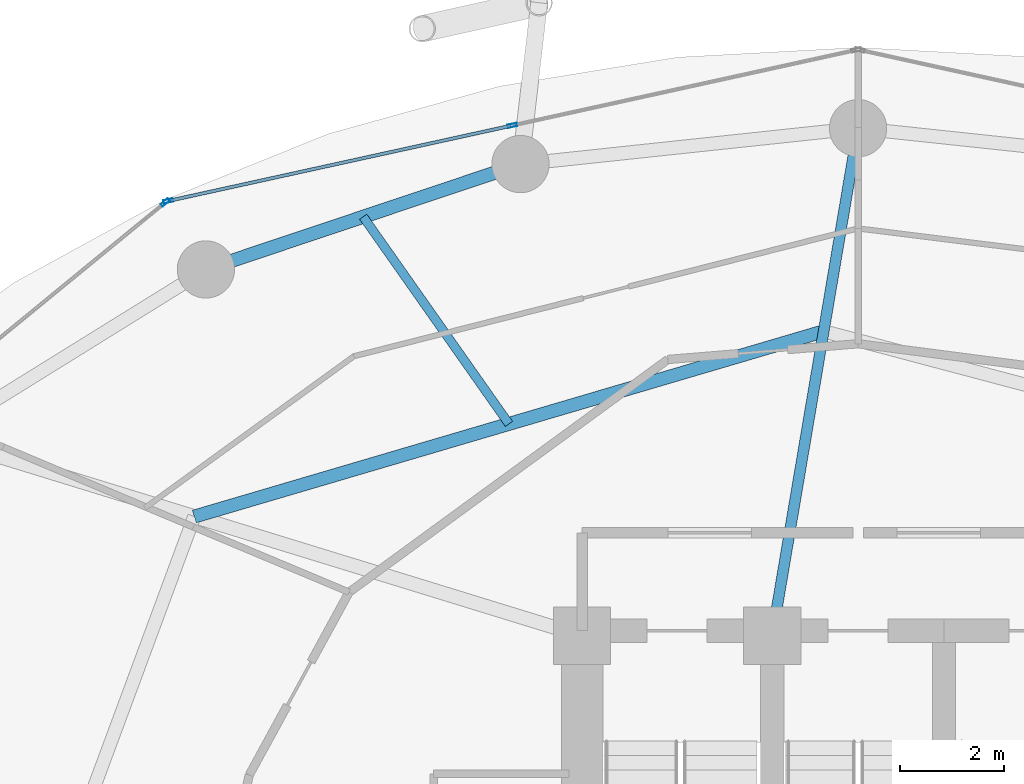
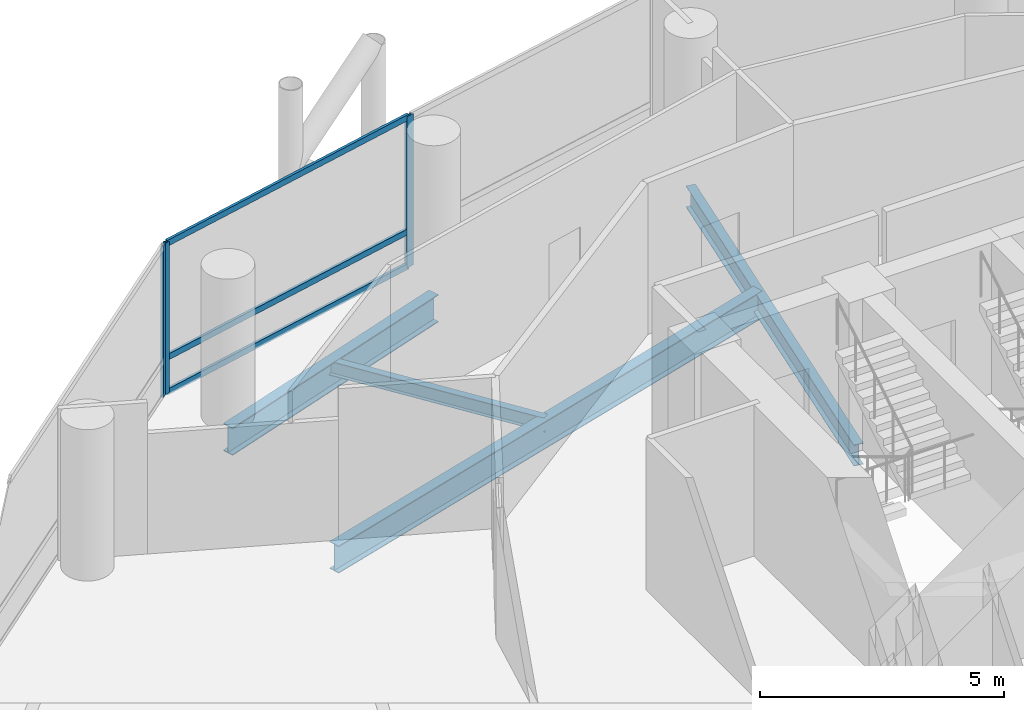
# One storey, part 15 of 25: 6 members, 4 beams, 2 elements without a shape of their own.
"""IFC4 building model written with IfcOpenShell, lengths in metres."""

from ifc_helpers import new_model, si_unit, direction, frame, origin, origin_2d, place, context, subcontext, project, spatial, hollow_rectangle, i_section, extrude, material, layer, layer_set, material_profile, profile_set, type_object, element, aggregate, save


model = new_model("IFC4")

# Units and contexts
model_context = context("Model", 3, precision=1e-05, world=origin(), true_north=direction((0.0, 1.0)))
body_context = subcontext(model_context, "Body", "Model", "MODEL_VIEW")
ifc_project = project(units=[si_unit("LENGTHUNIT", "METRE"), si_unit("AREAUNIT", "SQUARE_METRE"), si_unit("VOLUMEUNIT", "CUBIC_METRE"), si_unit("PLANEANGLEUNIT", "RADIAN"), si_unit("MASSUNIT", "GRAM", prefix="KILO")], contexts=[model_context])

# Site, building, storey
site_placement = place(None, origin())
site = spatial("IfcSite", under=ifc_project, at=site_placement, CompositionType="ELEMENT")
building_placement = place(site_placement, origin())
building = spatial("IfcBuilding", under=site, at=building_placement, Name="Nuhasar Tower", CompositionType="ELEMENT")
storey_placement = place(building_placement, frame((0.0, 0.0, 45.300048828125)))
storey = spatial("IfcBuildingStorey", under=building, at=storey_placement, Name="L10", CompositionType="ELEMENT", Elevation=45.300048828125)

# Beams
ifc_material_1 = material(Name="Steel S355", Category="steel")
ifc_material_profile_1 = material_profile(ifc_material_1, i_section(OverallWidth=0.25390625, OverallDepth=0.68408203125, WebThickness=0.012451171875, FlangeThickness=0.018798828125, at=origin_2d()), Name="W27X94")
ifc_profile_set_1 = profile_set([ifc_material_profile_1], Name="Steel S355")
beam_type_1 = type_object("IfcBeamType", Name="BM-INRING-W27X94", PredefinedType="BEAM", material=ifc_profile_set_1)
beam_1_placement = place(storey_placement, frame((38.340087890625, 43.14990234375, -0.60205078125), z_axis=(-0.959290190666, -0.28242225495, 0.0), x_axis=(0.28242225495, -0.959290190666, 0.0)))
element("IfcBeam", 1, at=beam_1_placement, inside=storey, type_object=beam_type_1, Name="L10 Inner Header Beam 06", PredefinedType="BEAM", context=body_context, shape_type="SweptSolid", body=[
    extrude(i_section(OverallWidth=0.25390625, OverallDepth=0.68408203125, WebThickness=0.012451171875, FlangeThickness=0.018798828125, at=origin_2d()), origin(), (0.0, 0.0, 1.0), 12.60107421875),
])
ifc_material_profile_2 = material_profile(ifc_material_1, i_section(OverallWidth=0.1708984375, OverallDepth=0.35205078125, WebThickness=0.0068359375, FlangeThickness=0.009765625, at=origin_2d()), Name="W14X30")
ifc_profile_set_2 = profile_set([ifc_material_profile_2], Name="Steel S355")
beam_type_2 = type_object("IfcBeamType", Name="BM-JST-W14X30", PredefinedType="JOIST", material=ifc_profile_set_2)
beam_2_placement = place(storey_placement, frame((32.2958984375, 41.3701171875, -0.43603515625), z_axis=(-0.575461088141, 0.817829160666, 0.0), x_axis=(-0.817829160666, -0.575461088141, 0.0)))
element("IfcBeam", 2, at=beam_2_placement, inside=storey, type_object=beam_type_2, Name="L10 Secondary Floor Joist 06", PredefinedType="JOIST", context=body_context, shape_type="SweptSolid", body=[
    extrude(i_section(OverallWidth=0.1708984375, OverallDepth=0.35205078125, WebThickness=0.0068359375, FlangeThickness=0.009765625, at=origin_2d()), origin(), (0.0, 0.0, 1.0), 4.865234375),
])
ifc_material_profile_3 = material_profile(ifc_material_1, i_section(OverallWidth=0.208984375, OverallDepth=0.532958984375, WebThickness=0.01025390625, FlangeThickness=0.015625, at=origin_2d()), Name="W21X62")
ifc_profile_set_3 = profile_set([ifc_material_profile_3], Name="Steel S355")
beam_type_3 = type_object("IfcBeamType", Name="BM-RAD-W21X62", PredefinedType="BEAM", material=ifc_profile_set_3)
beam_3_placement = place(storey_placement, frame((37.35009765625, 37.300048828125, -0.527099609375), z_axis=(0.166848703013, 0.98598251014, 0.0), x_axis=(-0.98598251014, 0.166848703013, 0.0)))
element("IfcBeam", 3, at=beam_3_placement, inside=storey, type_object=beam_type_3, Name="L10 Radial Floor Girder 06", PredefinedType="BEAM", context=body_context, shape_type="SweptSolid", body=[
    extrude(i_section(OverallWidth=0.208984375, OverallDepth=0.532958984375, WebThickness=0.01025390625, FlangeThickness=0.015625, at=origin_2d()), origin(), (0.0, 0.0, 1.0), 9.888671875),
])
ifc_material_profile_4 = material_profile(ifc_material_1, i_section(OverallWidth=0.256103515625, OverallDepth=0.693115234375, WebThickness=0.014404296875, FlangeThickness=0.023681640625, at=origin_2d()), Name="W27X114")
ifc_profile_set_4 = profile_set([ifc_material_profile_4], Name="Steel S355")
beam_type_4 = type_object("IfcBeamType", Name="BM-RING-W27X114", PredefinedType="SPANDREL", material=ifc_profile_set_4)
beam_4_placement = place(storey_placement, frame((32.51708984375, 46.360107421875, -0.60595703125), z_axis=(-0.948249435708, -0.317526388949, 0.0), x_axis=(0.317526388949, -0.948249435708, 0.0)))
element("IfcBeam", 4, at=beam_4_placement, inside=storey, type_object=beam_type_4, Name="L10 Perimeter Ring Spandrel 08", PredefinedType="SPANDREL", context=body_context, shape_type="SweptSolid", body=[
    extrude(i_section(OverallWidth=0.256103515625, OverallDepth=0.693115234375, WebThickness=0.014404296875, FlangeThickness=0.023681640625, at=origin_2d()), origin(), (0.0, 0.0, 1.0), 6.371826171875),
])

# Curtain wall, members
ifc_material_2 = material(Name="Aluminium 6063-T6", Category="aluminium")
ifc_layer = layer(ifc_material_2, 0.199951171875)
ifc_layer_set = layer_set([ifc_layer], Name="Aluminium 6063-T6")
curtain_wall_type = type_object("IfcCurtainWallType", Name="CW-Z1-OFF", PredefinedType="NOTDEFINED", material=ifc_layer_set)
curtain_wall_1_placement = place(storey_placement, origin())
curtain_wall_1 = element("IfcCurtainWall", 5, at=curtain_wall_1_placement, inside=storey, type_object=curtain_wall_type, Name="L10 Unitised Curtain Wall 04", PredefinedType="NOTDEFINED")
ifc_material_profile_5 = material_profile(ifc_material_2, hollow_rectangle(XDim=0.06494140625, YDim=0.179931640625, WallThickness=0.0048828125, at=origin_2d()), Name="CWM-2")
ifc_profile_set_5 = profile_set([ifc_material_profile_5], Name="Aluminium 6063-T6")
member_type_1 = type_object("IfcMemberType", Name="CW-MUL-S2", PredefinedType="MULLION", material=ifc_profile_set_5)
member_1_placement = place(storey_placement, frame((32.360107421875, 47.1025390625, 0.0), z_axis=(0.0, 0.0, 1.0), x_axis=(0.214398737637, -0.976746221544, 0.0)))
member_1 = element("IfcMember", 6, at=member_1_placement, type_object=member_type_1, Name="CW-Z1 mullion 2", PredefinedType="MULLION", context=body_context, shape_type="SweptSolid", body=[
    extrude(hollow_rectangle(XDim=0.06494140625, YDim=0.179931640625, WallThickness=0.0048828125, at=origin_2d()), origin(), (0.0, 0.0, 1.0), 3.7900390625),
])
member_2_placement = place(storey_placement, frame((25.751708984375, 45.65185546875, 0.0), z_axis=(0.0, 0.0, 1.0), x_axis=(0.214398737637, -0.976746221544, 0.0)))
member_2 = element("IfcMember", 7, at=member_2_placement, type_object=member_type_1, Name="CW-Z1 mullion 3", PredefinedType="MULLION", context=body_context, shape_type="SweptSolid", body=[
    extrude(hollow_rectangle(XDim=0.06494140625, YDim=0.179931640625, WallThickness=0.0048828125, at=origin_2d()), origin(), (0.0, 0.0, 1.0), 3.7900390625),
])

# Curtain wall, member
curtain_wall_2_placement = place(storey_placement, origin())
curtain_wall_2 = element("IfcCurtainWall", 8, at=curtain_wall_2_placement, inside=storey, type_object=curtain_wall_type, Name="L10 Unitised Curtain Wall 05", PredefinedType="NOTDEFINED")
member_3_placement = place(storey_placement, frame((25.69482421875, 45.62451171875, 0.0), z_axis=(0.0, 0.0, 1.0), x_axis=(0.633744593376, -0.773542364946, 0.0)))
member_3 = element("IfcMember", 9, at=member_3_placement, type_object=member_type_1, Name="CW-Z1 mullion 1", PredefinedType="MULLION", context=body_context, shape_type="SweptSolid", body=[
    extrude(hollow_rectangle(XDim=0.06494140625, YDim=0.179931640625, WallThickness=0.0048828125, at=origin_2d()), origin(), (0.0, 0.0, 1.0), 3.7900390625),
])
aggregate(curtain_wall_2, [member_3])

# Member
ifc_material_profile_6 = material_profile(ifc_material_2, hollow_rectangle(XDim=0.06494140625, YDim=0.14990234375, WallThickness=0.00439453125, at=origin_2d()), Name="CWT-2")
ifc_profile_set_6 = profile_set([ifc_material_profile_6], Name="Aluminium 6063-T6")
member_type_2 = type_object("IfcMemberType", Name="CW-TRN-S2", PredefinedType="USERDEFINED", material=ifc_profile_set_6)
member_4_placement = place(storey_placement, frame((32.328369140625, 47.095458984375, 0.032470703125), z_axis=(-0.976749553792, -0.214383556196, 0.0), x_axis=(0.214383556196, -0.976749553792, 0.0)))
member_4 = element("IfcMember", 10, at=member_4_placement, type_object=member_type_2, Name="CW-Z1 transom 2.1", ObjectType="TRANSOM", PredefinedType="USERDEFINED", context=body_context, shape_type="SweptSolid", body=[
    extrude(hollow_rectangle(XDim=0.06494140625, YDim=0.14990234375, WallThickness=0.00439453125, at=origin_2d()), origin(), (0.0, 0.0, 1.0), 6.70068359375),
])

member_5_placement = place(storey_placement, frame((32.328369140625, 47.095458984375, 0.89990234375), z_axis=(-0.976749553792, -0.214383556196, 0.0), x_axis=(0.214383556196, -0.976749553792, 0.0)))
member_5 = element("IfcMember", 11, at=member_5_placement, type_object=member_type_2, Name="CW-Z1 transom 2.2", ObjectType="TRANSOM", PredefinedType="USERDEFINED", context=body_context, shape_type="SweptSolid", body=[
    extrude(hollow_rectangle(XDim=0.06494140625, YDim=0.14990234375, WallThickness=0.00439453125, at=origin_2d()), origin(), (0.0, 0.0, 1.0), 6.70068359375),
])

member_6_placement = place(storey_placement, frame((32.328369140625, 47.095458984375, 3.757568359375), z_axis=(-0.976749553792, -0.214383556196, 0.0), x_axis=(0.214383556196, -0.976749553792, 0.0)))
member_6 = element("IfcMember", 12, at=member_6_placement, type_object=member_type_2, Name="CW-Z1 transom 2.3", ObjectType="TRANSOM", PredefinedType="USERDEFINED", context=body_context, shape_type="SweptSolid", body=[
    extrude(hollow_rectangle(XDim=0.06494140625, YDim=0.14990234375, WallThickness=0.00439453125, at=origin_2d()), origin(), (0.0, 0.0, 1.0), 6.70068359375),
])

aggregate(curtain_wall_1, [member_1, member_2, member_4, member_5, member_6])

save(model, "model.ifc")
